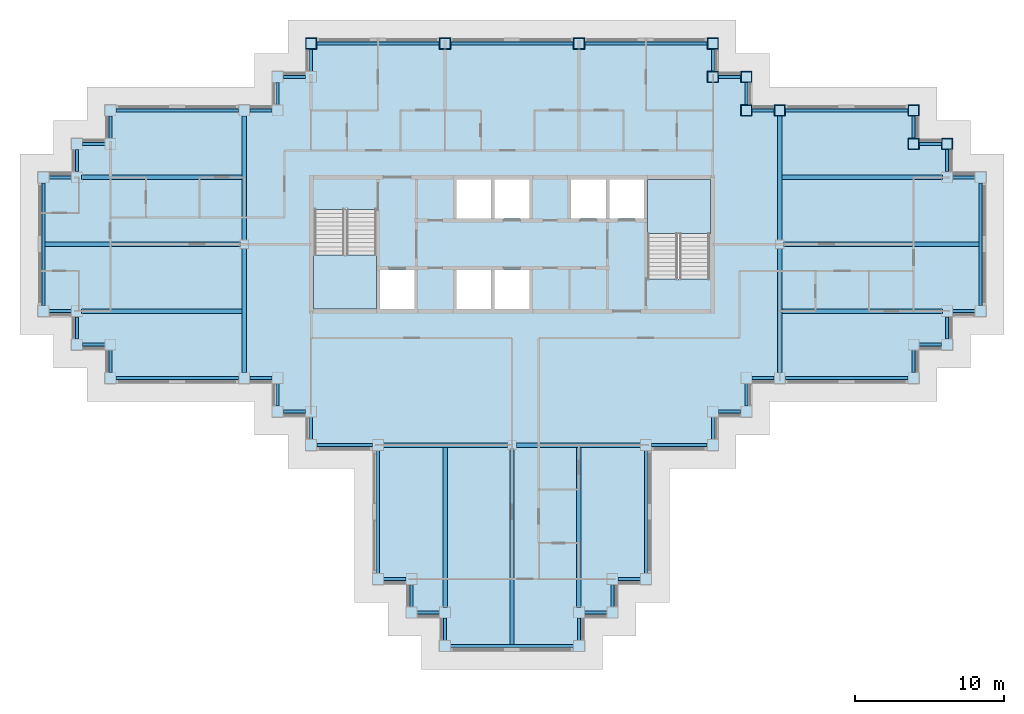
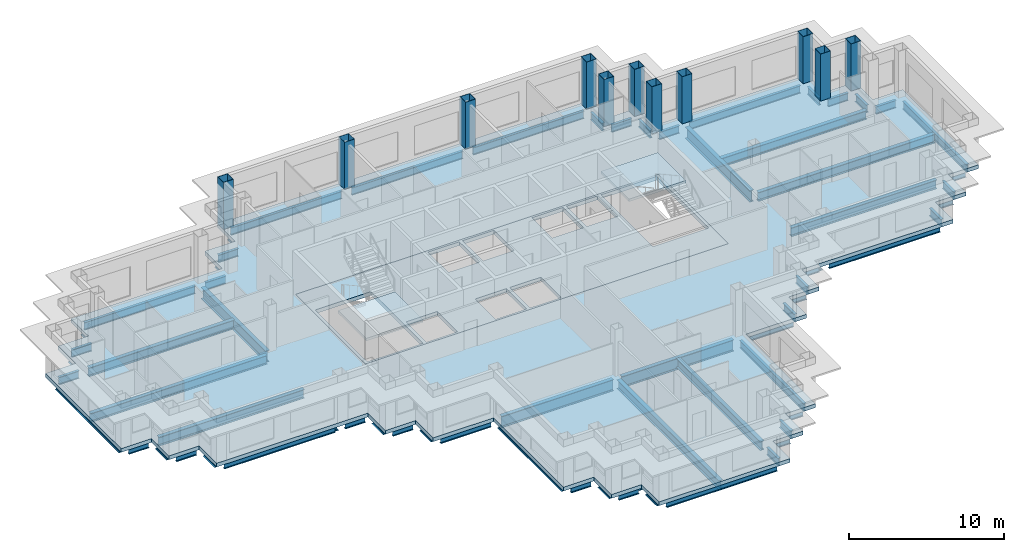
# One storey, part 2 of 13: 69 beams, 11 columns, 4 slabs, 2 elements without a shape of their own.
"""IFC4 building model written with IfcOpenShell, lengths in metres."""

from ifc_helpers import new_model, si_unit, direction, frame, origin, origin_2d, place, context, subcontext, project, spatial, polyline, hollow_rectangle, i_section, outline, extrude, material, layer, layer_set, material_profile, profile_set, type_object, element, aggregate, save


model = new_model("IFC4")

# Units and contexts
model_context = context("Model", 3, precision=1e-05, world=origin(), true_north=direction((0.0, 1.0)))
body_context = subcontext(model_context, "Body", "Model", "MODEL_VIEW")
ifc_project = project(units=[si_unit("LENGTHUNIT", "METRE"), si_unit("AREAUNIT", "SQUARE_METRE"), si_unit("VOLUMEUNIT", "CUBIC_METRE"), si_unit("PLANEANGLEUNIT", "RADIAN"), si_unit("MASSUNIT", "GRAM", prefix="KILO")], contexts=[model_context])

# Site, building, storey
site_placement = place(None, origin())
site = spatial("IfcSite", under=ifc_project, at=site_placement, CompositionType="ELEMENT")
building_placement = place(site_placement, origin())
building = spatial("IfcBuilding", under=site, at=building_placement, Name="Caravel Reach Hotel and Residences", CompositionType="ELEMENT")
storey_placement = place(building_placement, frame((0.0, 0.0, 180.199951171875)))
storey = spatial("IfcBuildingStorey", under=building, at=storey_placement, Name="L45", CompositionType="ELEMENT", Elevation=180.199951171875)

# Columns
ifc_material_1 = material(Name="Concrete-filled steel tube Q390B with Concrete C60 infill", Category="concrete")
ifc_material_profile_1 = material_profile(ifc_material_1, hollow_rectangle(XDim=0.75, YDim=0.75, WallThickness=0.02392578125, at=origin_2d()), Name="RHS 750x750x24")
ifc_profile_set_1 = profile_set([ifc_material_profile_1], Name="Concrete-filled steel tube Q390B with Concrete C60 infill")
column_type = type_object("IfcColumnType", Name="CFT 750x750 Q390B C60", PredefinedType="COLUMN", material=ifc_profile_set_1)
for number, where, z_axis, x_axis, name in (
    (1, (60.75, 33.75, 0.0), (0.0, 0.0, 1.0), (1.0, 0.0, 0.0), "C14 column"),
    (2, (58.5, 33.75, 0.0), (0.0, 0.0, 1.0), (1.0, 0.0, 0.0), "C14 column"),
    (3, (58.5, 36.0, 0.0), (0.0, 0.0, 1.0), (1.0, 0.0, 0.0), "C14 column"),
    (4, (49.5, 36.0, 0.0), (0.0, 0.0, 1.0), (1.0, 0.0, 0.0), "C14 column"),
    (5, (47.25, 36.0, 0.0), (0.0, 0.0, 1.0), (1.0, 0.0, 0.0), "C14 column"),
    (6, (47.25, 38.25, 0.0), (0.0, 0.0, 1.0), (1.0, 0.0, 0.0), "C14 column"),
    (7, (45.0, 38.25, 0.0), (0.0, 0.0, 1.0), (1.0, 0.0, 0.0), "C14 column"),
    (8, (45.0, 40.5, 0.0), (0.0, 0.0, 1.0), (1.0, 0.0, 0.0), "C14 column"),
    (9, (36.0, 40.5, 0.0), (0.0, 0.0, 1.0), (1.0, 0.0, 0.0), "C14 column"),
    (10, (27.0, 40.5, 0.0), (0.0, 0.0, 1.0), (1.0, 0.0, 0.0), "C14 column"),
    (11, (18.0, 40.5, 0.0), (0.0, 0.0, 1.0), (1.0, 0.0, 0.0), "C14 column"),
):
    element("IfcColumn", number, at=place(storey_placement, frame(where, z_axis=z_axis, x_axis=x_axis)), inside=storey, type_object=column_type, Name=name, PredefinedType="COLUMN", context=body_context, shape_type="SweptSolid", body=[
        extrude(hollow_rectangle(XDim=0.75, YDim=0.75, WallThickness=0.02392578125, at=origin_2d()), origin(), (0.0, 0.0, 1.0), 3.699951171875),
    ])

# Beams
ifc_material_2 = material(Name="Structural steel Q355B", Category="steel")
ifc_material_profile_2 = material_profile(ifc_material_2, i_section(OverallWidth=0.300048828125, OverallDepth=0.699951171875, WebThickness=0.012939453125, FlangeThickness=0.02392578125, FilletRadius=0.01806640625, at=origin_2d()), Name="HN 700x300x13x24")
ifc_profile_set_2 = profile_set([ifc_material_profile_2], Name="Structural steel Q355B")
beam_type_1 = type_object("IfcBeamType", Name="Beam HN 700x300x13x24", PredefinedType="BEAM", material=ifc_profile_set_2)
beam_1_placement = place(storey_placement, frame((27.0, 13.39990234375, -0.64990234375), z_axis=(0.0, -1.0, 0.0), x_axis=(1.0, 0.0, 0.0)))
element("IfcBeam", 12, at=beam_1_placement, inside=storey, type_object=beam_type_1, Name="B2 HN 700x300x13x24", PredefinedType="BEAM", context=body_context, shape_type="SweptSolid", body=[
    extrude(i_section(OverallWidth=0.300048828125, OverallDepth=0.699951171875, WebThickness=0.012939453125, FlangeThickness=0.02392578125, FilletRadius=0.01806640625, at=origin_2d()), origin(), (0.0, 0.0, 1.0), 10.824951171875),
])
beam_2_placement = place(storey_placement, frame((31.5, 13.25, -0.64990234375), z_axis=(0.0, -1.0, 0.0), x_axis=(1.0, 0.0, 0.0)))
element("IfcBeam", 13, at=beam_2_placement, inside=storey, type_object=beam_type_1, Name="B2 HN 700x300x13x24", PredefinedType="BEAM", context=body_context, shape_type="SweptSolid", body=[
    extrude(i_section(OverallWidth=0.300048828125, OverallDepth=0.699951171875, WebThickness=0.012939453125, FlangeThickness=0.02392578125, FilletRadius=0.01806640625, at=origin_2d()), origin(), (0.0, 0.0, 1.0), 13.14990234375),
])
for number, where, z_axis, x_axis, name in (
    (14, (36.0, 13.39990234375, -0.64990234375), (0.0, -1.0, 0.0), (1.0, 0.0, 0.0), "B2 HN 700x300x13x24"),
    (15, (49.60009765625, 22.5, -0.64990234375), (1.0, 0.0, 0.0), (0.0, 1.0, 0.0), "B2 HN 700x300x13x24"),
):
    element("IfcBeam", number, at=place(storey_placement, frame(where, z_axis=z_axis, x_axis=x_axis)), inside=storey, type_object=beam_type_1, Name=name, PredefinedType="BEAM", context=body_context, shape_type="SweptSolid", body=[
        extrude(i_section(OverallWidth=0.300048828125, OverallDepth=0.699951171875, WebThickness=0.012939453125, FlangeThickness=0.02392578125, FilletRadius=0.01806640625, at=origin_2d()), origin(), (0.0, 0.0, 1.0), 10.824951171875),
    ])
beam_3_placement = place(storey_placement, frame((49.75, 27.0, -0.64990234375), z_axis=(1.0, 0.0, 0.0), x_axis=(0.0, 1.0, 0.0)))
element("IfcBeam", 16, at=beam_3_placement, inside=storey, type_object=beam_type_1, Name="B2 HN 700x300x13x24", PredefinedType="BEAM", context=body_context, shape_type="SweptSolid", body=[
    extrude(i_section(OverallWidth=0.300048828125, OverallDepth=0.699951171875, WebThickness=0.012939453125, FlangeThickness=0.02392578125, FilletRadius=0.01806640625, at=origin_2d()), origin(), (0.0, 0.0, 1.0), 13.14990234375),
])
for number, where, z_axis, x_axis, name in (
    (17, (49.60009765625, 31.5, -0.64990234375), (1.0, 0.0, 0.0), (0.0, 1.0, 0.0), "B2 HN 700x300x13x24"),
    (18, (13.39990234375, 22.5, -0.64990234375), (-1.0, 0.0, 0.0), (0.0, -1.0, 0.0), "B2 HN 700x300x13x24"),
):
    element("IfcBeam", number, at=place(storey_placement, frame(where, z_axis=z_axis, x_axis=x_axis)), inside=storey, type_object=beam_type_1, Name=name, PredefinedType="BEAM", context=body_context, shape_type="SweptSolid", body=[
        extrude(i_section(OverallWidth=0.300048828125, OverallDepth=0.699951171875, WebThickness=0.012939453125, FlangeThickness=0.02392578125, FilletRadius=0.01806640625, at=origin_2d()), origin(), (0.0, 0.0, 1.0), 10.824951171875),
    ])
beam_4_placement = place(storey_placement, frame((13.25, 27.0, -0.64990234375), z_axis=(-1.0, 0.0, 0.0), x_axis=(0.0, -1.0, 0.0)))
element("IfcBeam", 19, at=beam_4_placement, inside=storey, type_object=beam_type_1, Name="B2 HN 700x300x13x24", PredefinedType="BEAM", context=body_context, shape_type="SweptSolid", body=[
    extrude(i_section(OverallWidth=0.300048828125, OverallDepth=0.699951171875, WebThickness=0.012939453125, FlangeThickness=0.02392578125, FilletRadius=0.01806640625, at=origin_2d()), origin(), (0.0, 0.0, 1.0), 13.14990234375),
])
beam_5_placement = place(storey_placement, frame((13.39990234375, 31.5, -0.64990234375), z_axis=(-1.0, 0.0, 0.0), x_axis=(0.0, -1.0, 0.0)))
element("IfcBeam", 20, at=beam_5_placement, inside=storey, type_object=beam_type_1, Name="B2 HN 700x300x13x24", PredefinedType="BEAM", context=body_context, shape_type="SweptSolid", body=[
    extrude(i_section(OverallWidth=0.300048828125, OverallDepth=0.699951171875, WebThickness=0.012939453125, FlangeThickness=0.02392578125, FilletRadius=0.01806640625, at=origin_2d()), origin(), (0.0, 0.0, 1.0), 10.824951171875),
])
ifc_material_3 = material(Name="Structural steel Q355B", Category="steel")
ifc_material_profile_3 = material_profile(ifc_material_3, i_section(OverallWidth=0.300048828125, OverallDepth=0.89990234375, WebThickness=0.01611328125, FlangeThickness=0.028076171875, FilletRadius=0.01806640625, at=origin_2d()), Name="HN 900x300x16x28")
ifc_profile_set_3 = profile_set([ifc_material_profile_3], Name="Structural steel Q355B")
beam_type_2 = type_object("IfcBeamType", Name="Beam HN 900x300x16x28", PredefinedType="BEAM", material=ifc_profile_set_3)
for number, where, z_axis, x_axis, name in (
    (21, (22.875, 13.5, -0.75), (1.0, 0.0, 0.0), (0.0, 1.0, 0.0), "B3 HN 900x300x16x28"),
    (22, (31.800048828125, 13.5, -0.75), (1.0, 0.0, 0.0), (0.0, 1.0, 0.0), "B3 HN 900x300x16x28"),
    (23, (13.5, 18.375, -0.75), (0.0, 1.0, 0.0), (-1.0, 0.0, 0.0), "B3 HN 900x300x16x28"),
    (24, (13.5, 27.300048828125, -0.75), (0.0, 1.0, 0.0), (-1.0, 0.0, 0.0), "B3 HN 900x300x16x28"),
    (25, (49.5, 18.375, -0.75), (0.0, 1.0, 0.0), (-1.0, 0.0, 0.0), "B3 HN 900x300x16x28"),
    (26, (49.5, 27.300048828125, -0.75), (0.0, 1.0, 0.0), (-1.0, 0.0, 0.0), "B3 HN 900x300x16x28"),
):
    element("IfcBeam", number, at=place(storey_placement, frame(where, z_axis=z_axis, x_axis=x_axis)), inside=storey, type_object=beam_type_2, Name=name, PredefinedType="BEAM", context=body_context, shape_type="SweptSolid", body=[
        extrude(i_section(OverallWidth=0.300048828125, OverallDepth=0.89990234375, WebThickness=0.01611328125, FlangeThickness=0.028076171875, FilletRadius=0.01806640625, at=origin_2d()), origin(), (0.0, 0.0, 1.0), 8.324951171875),
    ])
ifc_material_4 = material(Name="Structural steel Q355B", Category="steel")
ifc_material_profile_4 = material_profile(ifc_material_4, i_section(OverallWidth=0.199951171875, OverallDepth=0.60009765625, WebThickness=0.010986328125, FlangeThickness=0.01708984375, FilletRadius=0.012939453125, at=origin_2d()), Name="HN 600x200x11x17")
ifc_profile_set_4 = profile_set([ifc_material_profile_4], Name="Structural steel Q355B")
beam_type_3 = type_object("IfcBeamType", Name="Spandrel beam HN 600x200x11x17", PredefinedType="SPANDREL", material=ifc_profile_set_4)
for number, where, z_axis, x_axis, name in (
    (27, (22.875, 4.5, -0.599853515625), (1.0, 0.0, 0.0), (0.0, 1.0, 0.0), "SP1 HN 600x200x11x17"),
    (28, (24.75, 4.125, -0.599853515625), (0.0, -1.0, 0.0), (1.0, 0.0, 0.0), "SP1 HN 600x200x11x17"),
    (29, (25.125, 2.25, -0.599853515625), (1.0, 0.0, 0.0), (0.0, 1.0, 0.0), "SP1 HN 600x200x11x17"),
    (30, (27.0, 1.875, -0.599853515625), (0.0, -1.0, 0.0), (1.0, 0.0, 0.0), "SP1 HN 600x200x11x17"),
):
    element("IfcBeam", number, at=place(storey_placement, frame(where, z_axis=z_axis, x_axis=x_axis)), inside=storey, type_object=beam_type_3, Name=name, PredefinedType="SPANDREL", context=body_context, shape_type="SweptSolid", body=[
        extrude(i_section(OverallWidth=0.199951171875, OverallDepth=0.60009765625, WebThickness=0.010986328125, FlangeThickness=0.01708984375, FilletRadius=0.012939453125, at=origin_2d()), origin(), (0.0, 0.0, 1.0), 1.5),
    ])
beam_6_placement = place(storey_placement, frame((27.375, 0.0, -0.599853515625), z_axis=(1.0, 0.0, 0.0), x_axis=(0.0, 1.0, 0.0)))
element("IfcBeam", 31, at=beam_6_placement, inside=storey, type_object=beam_type_3, Name="SP1 HN 600x200x11x17", PredefinedType="SPANDREL", context=body_context, shape_type="SweptSolid", body=[
    extrude(i_section(OverallWidth=0.199951171875, OverallDepth=0.60009765625, WebThickness=0.010986328125, FlangeThickness=0.01708984375, FilletRadius=0.012939453125, at=origin_2d()), origin(), (0.0, 0.0, 1.0), 8.25),
])
for number, where, z_axis, x_axis, name in (
    (32, (36.0, 0.375, -0.599853515625), (0.0, 1.0, 0.0), (-1.0, 0.0, 0.0), "SP1 HN 600x200x11x17"),
    (33, (36.375, 2.25, -0.599853515625), (1.0, 0.0, 0.0), (0.0, 1.0, 0.0), "SP1 HN 600x200x11x17"),
    (34, (38.25, 2.625, -0.599853515625), (0.0, 1.0, 0.0), (-1.0, 0.0, 0.0), "SP1 HN 600x200x11x17"),
    (35, (38.625, 4.5, -0.599853515625), (1.0, 0.0, 0.0), (0.0, 1.0, 0.0), "SP1 HN 600x200x11x17"),
):
    element("IfcBeam", number, at=place(storey_placement, frame(where, z_axis=z_axis, x_axis=x_axis)), inside=storey, type_object=beam_type_3, Name=name, PredefinedType="SPANDREL", context=body_context, shape_type="SweptSolid", body=[
        extrude(i_section(OverallWidth=0.199951171875, OverallDepth=0.60009765625, WebThickness=0.010986328125, FlangeThickness=0.01708984375, FilletRadius=0.012939453125, at=origin_2d()), origin(), (0.0, 0.0, 1.0), 1.5),
    ])
beam_7_placement = place(storey_placement, frame((40.5, 4.875, -0.599853515625), z_axis=(0.0, 1.0, 0.0), x_axis=(-1.0, 0.0, 0.0)))
element("IfcBeam", 36, at=beam_7_placement, inside=storey, type_object=beam_type_3, Name="SP1 HN 600x200x11x17", PredefinedType="SPANDREL", context=body_context, shape_type="SweptSolid", body=[
    extrude(i_section(OverallWidth=0.199951171875, OverallDepth=0.60009765625, WebThickness=0.010986328125, FlangeThickness=0.01708984375, FilletRadius=0.012939453125, at=origin_2d()), origin(), (0.0, 0.0, 1.0), 8.25),
])
beam_8_placement = place(storey_placement, frame((40.875, 13.5, -0.599853515625), z_axis=(1.0, 0.0, 0.0), x_axis=(0.0, 1.0, 0.0)))
element("IfcBeam", 37, at=beam_8_placement, inside=storey, type_object=beam_type_3, Name="SP1 HN 600x200x11x17", PredefinedType="SPANDREL", context=body_context, shape_type="SweptSolid", body=[
    extrude(i_section(OverallWidth=0.199951171875, OverallDepth=0.60009765625, WebThickness=0.010986328125, FlangeThickness=0.01708984375, FilletRadius=0.012939453125, at=origin_2d()), origin(), (0.0, 0.0, 1.0), 3.75),
])
for number, where, z_axis, x_axis, name in (
    (38, (45.0, 13.875, -0.599853515625), (0.0, 1.0, 0.0), (-1.0, 0.0, 0.0), "SP1 HN 600x200x11x17"),
    (39, (45.375, 15.75, -0.599853515625), (1.0, 0.0, 0.0), (0.0, 1.0, 0.0), "SP1 HN 600x200x11x17"),
    (40, (47.25, 16.125, -0.599853515625), (0.0, 1.0, 0.0), (-1.0, 0.0, 0.0), "SP1 HN 600x200x11x17"),
    (41, (47.625, 18.0, -0.599853515625), (1.0, 0.0, 0.0), (0.0, 1.0, 0.0), "SP1 HN 600x200x11x17"),
):
    element("IfcBeam", number, at=place(storey_placement, frame(where, z_axis=z_axis, x_axis=x_axis)), inside=storey, type_object=beam_type_3, Name=name, PredefinedType="SPANDREL", context=body_context, shape_type="SweptSolid", body=[
        extrude(i_section(OverallWidth=0.199951171875, OverallDepth=0.60009765625, WebThickness=0.010986328125, FlangeThickness=0.01708984375, FilletRadius=0.012939453125, at=origin_2d()), origin(), (0.0, 0.0, 1.0), 1.5),
    ])
beam_9_placement = place(storey_placement, frame((49.875, 18.0, -0.599853515625), z_axis=(1.0, 0.0, 0.0), x_axis=(0.0, 1.0, 0.0)))
element("IfcBeam", 42, at=beam_9_placement, inside=storey, type_object=beam_type_3, Name="SP1 HN 600x200x11x17", PredefinedType="SPANDREL", context=body_context, shape_type="SweptSolid", body=[
    extrude(i_section(OverallWidth=0.199951171875, OverallDepth=0.60009765625, WebThickness=0.010986328125, FlangeThickness=0.01708984375, FilletRadius=0.012939453125, at=origin_2d()), origin(), (0.0, 0.0, 1.0), 8.25),
])
for number, where, z_axis, x_axis, name in (
    (43, (58.5, 18.375, -0.599853515625), (0.0, 1.0, 0.0), (-1.0, 0.0, 0.0), "SP1 HN 600x200x11x17"),
    (44, (58.875, 20.25, -0.599853515625), (1.0, 0.0, 0.0), (0.0, 1.0, 0.0), "SP1 HN 600x200x11x17"),
    (45, (60.75, 20.625, -0.599853515625), (0.0, 1.0, 0.0), (-1.0, 0.0, 0.0), "SP1 HN 600x200x11x17"),
    (46, (61.125, 22.5, -0.599853515625), (1.0, 0.0, 0.0), (0.0, 1.0, 0.0), "SP1 HN 600x200x11x17"),
):
    element("IfcBeam", number, at=place(storey_placement, frame(where, z_axis=z_axis, x_axis=x_axis)), inside=storey, type_object=beam_type_3, Name=name, PredefinedType="SPANDREL", context=body_context, shape_type="SweptSolid", body=[
        extrude(i_section(OverallWidth=0.199951171875, OverallDepth=0.60009765625, WebThickness=0.010986328125, FlangeThickness=0.01708984375, FilletRadius=0.012939453125, at=origin_2d()), origin(), (0.0, 0.0, 1.0), 1.5),
    ])
beam_10_placement = place(storey_placement, frame((63.0, 22.875, -0.599853515625), z_axis=(0.0, 1.0, 0.0), x_axis=(-1.0, 0.0, 0.0)))
element("IfcBeam", 47, at=beam_10_placement, inside=storey, type_object=beam_type_3, Name="SP1 HN 600x200x11x17", PredefinedType="SPANDREL", context=body_context, shape_type="SweptSolid", body=[
    extrude(i_section(OverallWidth=0.199951171875, OverallDepth=0.60009765625, WebThickness=0.010986328125, FlangeThickness=0.01708984375, FilletRadius=0.012939453125, at=origin_2d()), origin(), (0.0, 0.0, 1.0), 8.25),
])
for number, where, z_axis, x_axis, name in (
    (48, (62.625, 31.5, -0.599853515625), (-1.0, 0.0, 0.0), (0.0, -1.0, 0.0), "SP1 HN 600x200x11x17"),
    (49, (60.75, 31.875, -0.599853515625), (0.0, 1.0, 0.0), (-1.0, 0.0, 0.0), "SP1 HN 600x200x11x17"),
    (50, (60.375, 33.75, -0.599853515625), (-1.0, 0.0, 0.0), (0.0, -1.0, 0.0), "SP1 HN 600x200x11x17"),
    (51, (58.5, 34.125, -0.599853515625), (0.0, 1.0, 0.0), (-1.0, 0.0, 0.0), "SP1 HN 600x200x11x17"),
):
    element("IfcBeam", number, at=place(storey_placement, frame(where, z_axis=z_axis, x_axis=x_axis)), inside=storey, type_object=beam_type_3, Name=name, PredefinedType="SPANDREL", context=body_context, shape_type="SweptSolid", body=[
        extrude(i_section(OverallWidth=0.199951171875, OverallDepth=0.60009765625, WebThickness=0.010986328125, FlangeThickness=0.01708984375, FilletRadius=0.012939453125, at=origin_2d()), origin(), (0.0, 0.0, 1.0), 1.5),
    ])
beam_11_placement = place(storey_placement, frame((58.125, 36.0, -0.599853515625), z_axis=(-1.0, 0.0, 0.0), x_axis=(0.0, -1.0, 0.0)))
element("IfcBeam", 52, at=beam_11_placement, inside=storey, type_object=beam_type_3, Name="SP1 HN 600x200x11x17", PredefinedType="SPANDREL", context=body_context, shape_type="SweptSolid", body=[
    extrude(i_section(OverallWidth=0.199951171875, OverallDepth=0.60009765625, WebThickness=0.010986328125, FlangeThickness=0.01708984375, FilletRadius=0.012939453125, at=origin_2d()), origin(), (0.0, 0.0, 1.0), 8.25),
])
for number, where, z_axis, x_axis, name in (
    (53, (49.125, 36.0, -0.599853515625), (-1.0, 0.0, 0.0), (0.0, -1.0, 0.0), "SP1 HN 600x200x11x17"),
    (54, (47.25, 36.375, -0.599853515625), (0.0, 1.0, 0.0), (-1.0, 0.0, 0.0), "SP1 HN 600x200x11x17"),
    (55, (46.875, 38.25, -0.599853515625), (-1.0, 0.0, 0.0), (0.0, -1.0, 0.0), "SP1 HN 600x200x11x17"),
    (56, (45.0, 38.625, -0.599853515625), (0.0, 1.0, 0.0), (-1.0, 0.0, 0.0), "SP1 HN 600x200x11x17"),
):
    element("IfcBeam", number, at=place(storey_placement, frame(where, z_axis=z_axis, x_axis=x_axis)), inside=storey, type_object=beam_type_3, Name=name, PredefinedType="SPANDREL", context=body_context, shape_type="SweptSolid", body=[
        extrude(i_section(OverallWidth=0.199951171875, OverallDepth=0.60009765625, WebThickness=0.010986328125, FlangeThickness=0.01708984375, FilletRadius=0.012939453125, at=origin_2d()), origin(), (0.0, 0.0, 1.0), 1.5),
    ])
for number, where, z_axis, x_axis, name in (
    (57, (44.625, 40.5, -0.599853515625), (-1.0, 0.0, 0.0), (0.0, -1.0, 0.0), "SP1 HN 600x200x11x17"),
    (58, (35.625, 40.5, -0.599853515625), (-1.0, 0.0, 0.0), (0.0, -1.0, 0.0), "SP1 HN 600x200x11x17"),
    (59, (26.625, 40.5, -0.599853515625), (-1.0, 0.0, 0.0), (0.0, -1.0, 0.0), "SP1 HN 600x200x11x17"),
):
    element("IfcBeam", number, at=place(storey_placement, frame(where, z_axis=z_axis, x_axis=x_axis)), inside=storey, type_object=beam_type_3, Name=name, PredefinedType="SPANDREL", context=body_context, shape_type="SweptSolid", body=[
        extrude(i_section(OverallWidth=0.199951171875, OverallDepth=0.60009765625, WebThickness=0.010986328125, FlangeThickness=0.01708984375, FilletRadius=0.012939453125, at=origin_2d()), origin(), (0.0, 0.0, 1.0), 8.25),
    ])
for number, where, z_axis, x_axis, name in (
    (60, (18.0, 40.125, -0.599853515625), (0.0, -1.0, 0.0), (1.0, 0.0, 0.0), "SP1 HN 600x200x11x17"),
    (61, (17.625, 38.25, -0.599853515625), (-1.0, 0.0, 0.0), (0.0, -1.0, 0.0), "SP1 HN 600x200x11x17"),
    (62, (15.75, 37.875, -0.599853515625), (0.0, -1.0, 0.0), (1.0, 0.0, 0.0), "SP1 HN 600x200x11x17"),
    (63, (15.375, 36.0, -0.599853515625), (-1.0, 0.0, 0.0), (0.0, -1.0, 0.0), "SP1 HN 600x200x11x17"),
):
    element("IfcBeam", number, at=place(storey_placement, frame(where, z_axis=z_axis, x_axis=x_axis)), inside=storey, type_object=beam_type_3, Name=name, PredefinedType="SPANDREL", context=body_context, shape_type="SweptSolid", body=[
        extrude(i_section(OverallWidth=0.199951171875, OverallDepth=0.60009765625, WebThickness=0.010986328125, FlangeThickness=0.01708984375, FilletRadius=0.012939453125, at=origin_2d()), origin(), (0.0, 0.0, 1.0), 1.5),
    ])
beam_12_placement = place(storey_placement, frame((13.125, 36.0, -0.599853515625), z_axis=(-1.0, 0.0, 0.0), x_axis=(0.0, -1.0, 0.0)))
element("IfcBeam", 64, at=beam_12_placement, inside=storey, type_object=beam_type_3, Name="SP1 HN 600x200x11x17", PredefinedType="SPANDREL", context=body_context, shape_type="SweptSolid", body=[
    extrude(i_section(OverallWidth=0.199951171875, OverallDepth=0.60009765625, WebThickness=0.010986328125, FlangeThickness=0.01708984375, FilletRadius=0.012939453125, at=origin_2d()), origin(), (0.0, 0.0, 1.0), 8.25),
])
for number, where, z_axis, x_axis, name in (
    (65, (4.5, 35.625, -0.599853515625), (0.0, -1.0, 0.0), (1.0, 0.0, 0.0), "SP1 HN 600x200x11x17"),
    (66, (4.125, 33.75, -0.599853515625), (-1.0, 0.0, 0.0), (0.0, -1.0, 0.0), "SP1 HN 600x200x11x17"),
    (67, (2.25, 33.375, -0.599853515625), (0.0, -1.0, 0.0), (1.0, 0.0, 0.0), "SP1 HN 600x200x11x17"),
    (68, (1.875, 31.5, -0.599853515625), (-1.0, 0.0, 0.0), (0.0, -1.0, 0.0), "SP1 HN 600x200x11x17"),
):
    element("IfcBeam", number, at=place(storey_placement, frame(where, z_axis=z_axis, x_axis=x_axis)), inside=storey, type_object=beam_type_3, Name=name, PredefinedType="SPANDREL", context=body_context, shape_type="SweptSolid", body=[
        extrude(i_section(OverallWidth=0.199951171875, OverallDepth=0.60009765625, WebThickness=0.010986328125, FlangeThickness=0.01708984375, FilletRadius=0.012939453125, at=origin_2d()), origin(), (0.0, 0.0, 1.0), 1.5),
    ])
beam_13_placement = place(storey_placement, frame((0.0, 31.125, -0.599853515625), z_axis=(0.0, -1.0, 0.0), x_axis=(1.0, 0.0, 0.0)))
element("IfcBeam", 69, at=beam_13_placement, inside=storey, type_object=beam_type_3, Name="SP1 HN 600x200x11x17", PredefinedType="SPANDREL", context=body_context, shape_type="SweptSolid", body=[
    extrude(i_section(OverallWidth=0.199951171875, OverallDepth=0.60009765625, WebThickness=0.010986328125, FlangeThickness=0.01708984375, FilletRadius=0.012939453125, at=origin_2d()), origin(), (0.0, 0.0, 1.0), 8.25),
])
for number, where, z_axis, x_axis, name in (
    (70, (0.375, 22.5, -0.599853515625), (1.0, 0.0, 0.0), (0.0, 1.0, 0.0), "SP1 HN 600x200x11x17"),
    (71, (2.25, 22.125, -0.599853515625), (0.0, -1.0, 0.0), (1.0, 0.0, 0.0), "SP1 HN 600x200x11x17"),
    (72, (2.625, 20.25, -0.599853515625), (1.0, 0.0, 0.0), (0.0, 1.0, 0.0), "SP1 HN 600x200x11x17"),
    (73, (4.5, 19.875, -0.599853515625), (0.0, -1.0, 0.0), (1.0, 0.0, 0.0), "SP1 HN 600x200x11x17"),
):
    element("IfcBeam", number, at=place(storey_placement, frame(where, z_axis=z_axis, x_axis=x_axis)), inside=storey, type_object=beam_type_3, Name=name, PredefinedType="SPANDREL", context=body_context, shape_type="SweptSolid", body=[
        extrude(i_section(OverallWidth=0.199951171875, OverallDepth=0.60009765625, WebThickness=0.010986328125, FlangeThickness=0.01708984375, FilletRadius=0.012939453125, at=origin_2d()), origin(), (0.0, 0.0, 1.0), 1.5),
    ])
beam_14_placement = place(storey_placement, frame((4.875, 18.0, -0.599853515625), z_axis=(1.0, 0.0, 0.0), x_axis=(0.0, 1.0, 0.0)))
element("IfcBeam", 74, at=beam_14_placement, inside=storey, type_object=beam_type_3, Name="SP1 HN 600x200x11x17", PredefinedType="SPANDREL", context=body_context, shape_type="SweptSolid", body=[
    extrude(i_section(OverallWidth=0.199951171875, OverallDepth=0.60009765625, WebThickness=0.010986328125, FlangeThickness=0.01708984375, FilletRadius=0.012939453125, at=origin_2d()), origin(), (0.0, 0.0, 1.0), 8.25),
])
for number, where, z_axis, x_axis, name in (
    (75, (13.875, 18.0, -0.599853515625), (1.0, 0.0, 0.0), (0.0, 1.0, 0.0), "SP1 HN 600x200x11x17"),
    (76, (15.75, 17.625, -0.599853515625), (0.0, -1.0, 0.0), (1.0, 0.0, 0.0), "SP1 HN 600x200x11x17"),
    (77, (16.125, 15.75, -0.599853515625), (1.0, 0.0, 0.0), (0.0, 1.0, 0.0), "SP1 HN 600x200x11x17"),
    (78, (18.0, 15.375, -0.599853515625), (0.0, -1.0, 0.0), (1.0, 0.0, 0.0), "SP1 HN 600x200x11x17"),
):
    element("IfcBeam", number, at=place(storey_placement, frame(where, z_axis=z_axis, x_axis=x_axis)), inside=storey, type_object=beam_type_3, Name=name, PredefinedType="SPANDREL", context=body_context, shape_type="SweptSolid", body=[
        extrude(i_section(OverallWidth=0.199951171875, OverallDepth=0.60009765625, WebThickness=0.010986328125, FlangeThickness=0.01708984375, FilletRadius=0.012939453125, at=origin_2d()), origin(), (0.0, 0.0, 1.0), 1.5),
    ])
beam_15_placement = place(storey_placement, frame((18.375, 13.5, -0.599853515625), z_axis=(1.0, 0.0, 0.0), x_axis=(0.0, 1.0, 0.0)))
element("IfcBeam", 79, at=beam_15_placement, inside=storey, type_object=beam_type_3, Name="SP1 HN 600x200x11x17", PredefinedType="SPANDREL", context=body_context, shape_type="SweptSolid", body=[
    extrude(i_section(OverallWidth=0.199951171875, OverallDepth=0.60009765625, WebThickness=0.010986328125, FlangeThickness=0.01708984375, FilletRadius=0.012939453125, at=origin_2d()), origin(), (0.0, 0.0, 1.0), 3.75),
])
beam_16_placement = place(storey_placement, frame((22.5, 13.125, -0.599853515625), z_axis=(0.0, -1.0, 0.0), x_axis=(1.0, 0.0, 0.0)))
element("IfcBeam", 80, at=beam_16_placement, inside=storey, type_object=beam_type_3, Name="SP1 HN 600x200x11x17", PredefinedType="SPANDREL", context=body_context, shape_type="SweptSolid", body=[
    extrude(i_section(OverallWidth=0.199951171875, OverallDepth=0.60009765625, WebThickness=0.010986328125, FlangeThickness=0.01708984375, FilletRadius=0.012939453125, at=origin_2d()), origin(), (0.0, 0.0, 1.0), 8.25),
])

# Slab
ifc_material_5 = material(Name="Concrete C40", Category="concrete")
ifc_layer_1 = layer(ifc_material_5, 0.300048828125)
ifc_layer_set_1 = layer_set([ifc_layer_1], Name="Core floor slab 300 mm")
slab_type_1 = type_object("IfcSlabType", Name="Core floor slab 300 mm", PredefinedType="FLOOR", material=ifc_layer_set_1)
slab_1_placement = place(storey_placement, frame((0.0, 0.0, -0.300048828125)))
element("IfcSlab", 81, at=slab_1_placement, inside=storey, type_object=slab_type_1, Name="L45 core floor", PredefinedType="FLOOR", context=body_context, shape_type="SweptSolid", body=[
    extrude(outline(polyline([(18.0, 31.5), (45.0, 31.5), (45.0, 22.5), (18.0, 22.5), (18.0, 31.5)]), holes=[polyline([(22.625, 25.27490234375), (22.625, 22.64990234375), (24.9462890625, 22.64990234375), (24.9462890625, 25.27490234375), (22.625, 25.27490234375)]), polyline([(27.767822265625, 25.27490234375), (27.767822265625, 22.64990234375), (30.08935546875, 22.64990234375), (30.08935546875, 25.27490234375), (27.767822265625, 25.27490234375)]), polyline([(30.33935546875, 25.27490234375), (30.33935546875, 22.64990234375), (32.66064453125, 22.64990234375), (32.66064453125, 25.27490234375), (30.33935546875, 25.27490234375)]), polyline([(22.375, 22.64990234375), (22.375, 29.35009765625), (18.22509765625, 29.35009765625), (18.22509765625, 22.64990234375), (22.375, 22.64990234375)]), polyline([(40.625, 31.35009765625), (40.625, 24.64990234375), (44.77490234375, 24.64990234375), (44.77490234375, 31.35009765625), (40.625, 31.35009765625)]), polyline([(27.767822265625, 31.35009765625), (27.767822265625, 28.72509765625), (30.08935546875, 28.72509765625), (30.08935546875, 31.35009765625), (27.767822265625, 31.35009765625)]), polyline([(30.33935546875, 31.35009765625), (30.33935546875, 28.72509765625), (32.66064453125, 28.72509765625), (32.66064453125, 31.35009765625), (30.33935546875, 31.35009765625)]), polyline([(37.8037109375, 31.35009765625), (35.482177734375, 31.35009765625), (35.482177734375, 28.72509765625), (37.8037109375, 28.72509765625), (37.8037109375, 31.35009765625)]), polyline([(40.375, 31.35009765625), (38.0537109375, 31.35009765625), (38.0537109375, 28.72509765625), (40.375, 28.72509765625), (40.375, 31.35009765625)])]), origin(), (0.0, 0.0, 1.0), 0.300048828125),
])

# Stair, slab
ifc_material_6 = material(Name="Concrete C40", Category="concrete")
stair_type = type_object("IfcStairType", Name="Core stair", PredefinedType="HALF_TURN_STAIR", material=ifc_material_6)
stair_1_placement = place(storey_placement, origin())
stair_1 = element("IfcStair", 82, at=stair_1_placement, inside=storey, type_object=stair_type, Name="L45 Exit stair A", PredefinedType="HALF_TURN_STAIR")
ifc_material_7 = material(Name="Concrete C40", Category="concrete")
ifc_layer_2 = layer(ifc_material_7, 0.199951171875)
ifc_layer_set_2 = layer_set([ifc_layer_2], Name="Core stair landing")
slab_type_2 = type_object("IfcSlabType", Name="Core stair landing", PredefinedType="LANDING", material=ifc_layer_set_2)
slab_2_placement = place(storey_placement, frame((0.0, 0.0, 1.650146484375)))
slab_2 = element("IfcSlab", 83, at=slab_2_placement, type_object=slab_type_2, Name="ST-A landing 1", PredefinedType="LANDING", context=body_context, shape_type="SweptSolid", body=[
    extrude(outline(polyline([(18.14990234375, 26.27001953125), (18.14990234375, 22.64990234375), (22.375, 22.64990234375), (22.375, 26.27001953125), (18.14990234375, 26.27001953125)])), origin(), (0.0, 0.0, 1.0), 0.199951171875),
])
aggregate(stair_1, [slab_2])

stair_2_placement = place(storey_placement, origin())
stair_2 = element("IfcStair", 84, at=stair_2_placement, inside=storey, type_object=stair_type, Name="L45 Exit stair B", PredefinedType="HALF_TURN_STAIR")
slab_3_placement = place(storey_placement, frame((0.0, 0.0, 1.650146484375)))
slab_3 = element("IfcSlab", 85, at=slab_3_placement, type_object=slab_type_2, Name="ST-B landing 1", PredefinedType="LANDING", context=body_context, shape_type="SweptSolid", body=[
    extrude(outline(polyline([(44.85009765625, 27.72998046875), (44.85009765625, 31.35009765625), (40.625, 31.35009765625), (40.625, 27.72998046875), (44.85009765625, 27.72998046875)])), origin(), (0.0, 0.0, 1.0), 0.199951171875),
])
aggregate(stair_2, [slab_3])

# Slab
ifc_material_8 = material(Name="Concrete C40 post-tensioned", Category="concrete")
ifc_layer_3 = layer(ifc_material_8, 0.300048828125)
ifc_layer_set_3 = layer_set([ifc_layer_3], Name="Floor slab 300")
slab_type_3 = type_object("IfcSlabType", Name="Floor slab 300", PredefinedType="FLOOR", material=ifc_layer_set_3)
slab_4_placement = place(storey_placement, frame((0.0, 0.0, -0.300048828125)))
element("IfcSlab", 86, at=slab_4_placement, inside=storey, type_object=slab_type_3, Name="S2 slab L45", PredefinedType="FLOOR", context=body_context, shape_type="SweptSolid", body=[
    extrude(outline(polyline([(17.625, 13.125), (17.625, 15.375), (15.375, 15.375), (15.375, 17.625), (4.125, 17.625), (4.125, 19.875), (1.875, 19.875), (1.875, 22.125), (-0.375, 22.125), (-0.375, 31.875), (1.875, 31.875), (1.875, 34.125), (4.125, 34.125), (4.125, 36.375), (15.375, 36.375), (15.375, 38.625), (17.625, 38.625), (17.625, 40.875), (45.375, 40.875), (45.375, 38.625), (47.625, 38.625), (47.625, 36.375), (58.875, 36.375), (58.875, 34.125), (61.125, 34.125), (61.125, 31.875), (63.375, 31.875), (63.375, 22.125), (61.125, 22.125), (61.125, 19.875), (58.875, 19.875), (58.875, 17.625), (47.625, 17.625), (47.625, 15.375), (45.375, 15.375), (45.375, 13.125), (40.875, 13.125), (40.875, 4.125), (38.625, 4.125), (38.625, 1.875), (36.375, 1.875), (36.375, -0.375), (26.625, -0.375), (26.625, 1.875), (24.375, 1.875), (24.375, 4.125), (22.125, 4.125), (22.125, 13.125), (17.625, 13.125)]), holes=[polyline([(45.0, 31.5), (18.0, 31.5), (18.0, 22.5), (45.0, 22.5), (45.0, 31.5)])]), origin(), (0.0, 0.0, 1.0), 0.300048828125),
])

save(model, "model.ifc")
